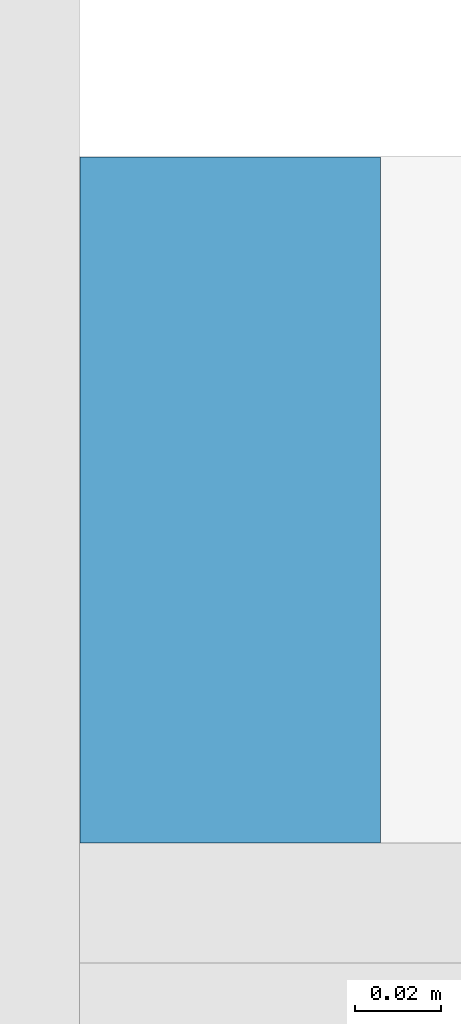
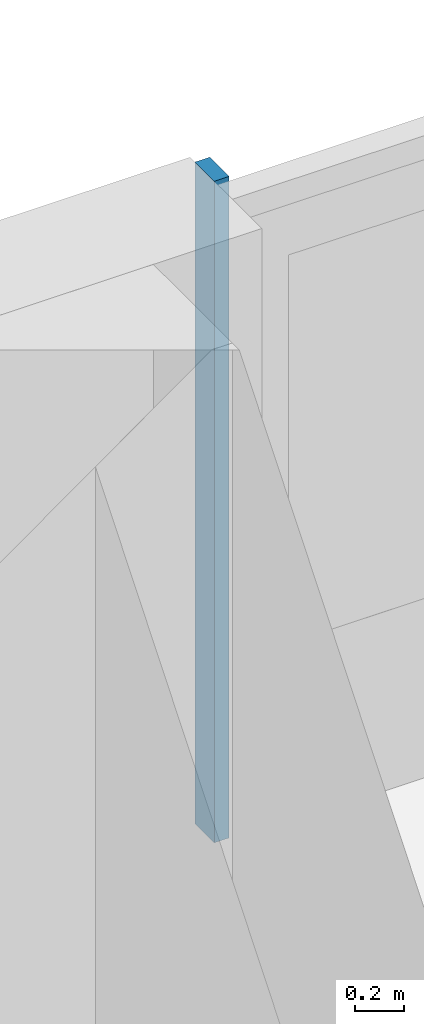
# One storey, part 10 of 29: 1 member, 1 element without a shape of its own.
"""IFC4 building model written with IfcOpenShell, lengths in metres."""

from ifc_helpers import new_model, si_unit, direction, frame, origin, origin_2d, place, context, subcontext, project, spatial, rectangle, extrude, material, material_profile, profile_set, type_object, element, aggregate, save


model = new_model("IFC4")

# Units and contexts
model_context = context("Model", 3, precision=1e-05, world=origin(), true_north=direction((0.0, 1.0)))
body_context = subcontext(model_context, "Body", "Model", "MODEL_VIEW")
ifc_project = project(units=[si_unit("LENGTHUNIT", "METRE"), si_unit("AREAUNIT", "SQUARE_METRE"), si_unit("VOLUMEUNIT", "CUBIC_METRE"), si_unit("PLANEANGLEUNIT", "RADIAN"), si_unit("MASSUNIT", "GRAM", prefix="KILO")], contexts=[model_context])

# Site, building, storey
site_placement = place(None, origin())
site = spatial("IfcSite", under=ifc_project, at=site_placement, CompositionType="ELEMENT")
building_placement = place(site_placement, origin())
building = spatial("IfcBuilding", under=site, at=building_placement, Name="Saffron Gate Tower", CompositionType="ELEMENT")
storey_placement = place(building_placement, frame((0.0, 0.0, 219.89990234375)))
storey = spatial("IfcBuildingStorey", under=building, at=storey_placement, Name="L53", CompositionType="ELEMENT", Elevation=219.89990234375)

# Curtain wall, member
ifc_material = material(Name="Aluminium, bronze anodised", Category="aluminium")
curtain_wall_type = type_object("IfcCurtainWallType", Name="CWS3 curtain wall rear facade", PredefinedType="NOTDEFINED", material=ifc_material)
curtain_wall_placement = place(storey_placement, origin())
curtain_wall = element("IfcCurtainWall", 1, at=curtain_wall_placement, inside=storey, type_object=curtain_wall_type, Name="CWS3 run 7", PredefinedType="NOTDEFINED")
ifc_material_profile = material_profile(ifc_material, rectangle(XDim=0.159912109375, YDim=0.070068359375, at=origin_2d()))
ifc_profile_set = profile_set([ifc_material_profile], Name="Aluminium, bronze anodised")
member_type = type_object("IfcMemberType", Name="CWS3 mullion 70x160", PredefinedType="MULLION", material=ifc_profile_set)
member_placement = place(storey_placement, frame((108.60009765625, 75.52001953125, 0.0), z_axis=(0.0, 0.0, 1.0), x_axis=(0.0, -1.0, 0.0)))
member = element("IfcMember", 2, at=member_placement, type_object=member_type, Name="CWS3 mullion 3", PredefinedType="MULLION", context=body_context, shape_type="SweptSolid", body=[
    extrude(rectangle(XDim=0.159912109375, YDim=0.070068359375, at=origin_2d()), origin(), (0.0, 0.0, 1.0), 3.320068359375),
])
aggregate(curtain_wall, [member])

save(model, "model.ifc")
